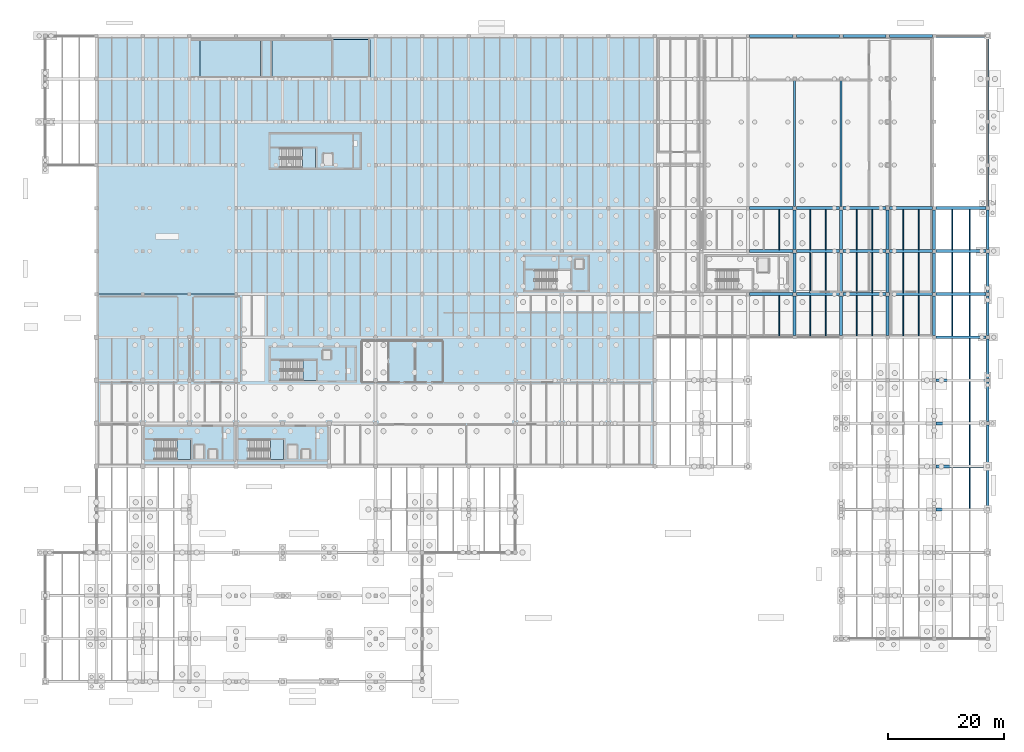
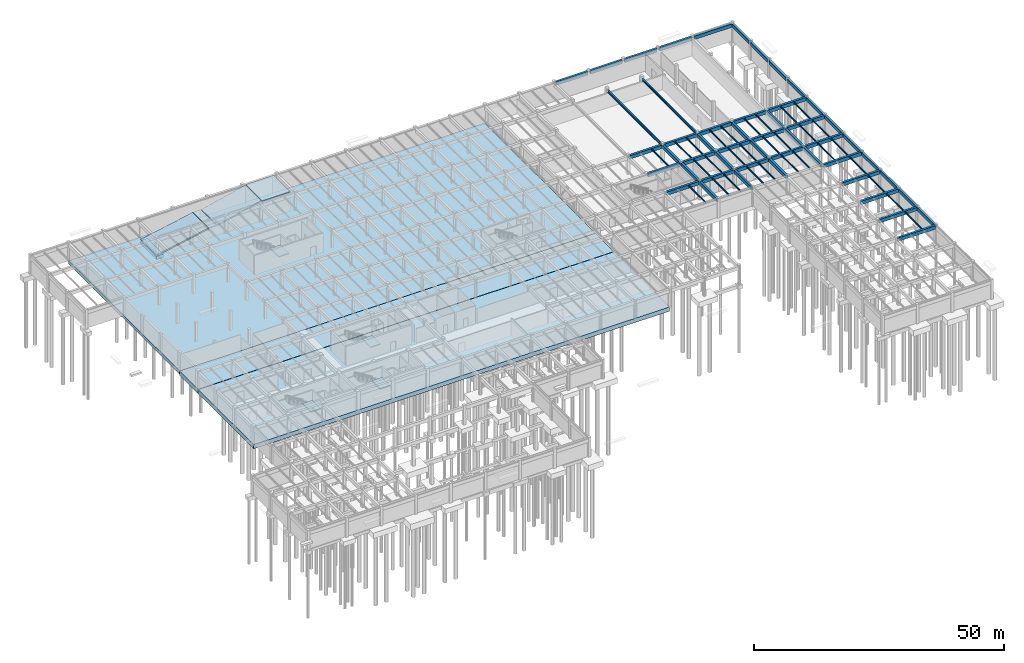
# One storey, part 15 of 40: 80 beams, 12 slabs, 4 elements without a shape of their own.
"""IFC4 building model written with IfcOpenShell, lengths in metres."""

from ifc_helpers import new_model, si_unit, direction, frame, origin, origin_2d, place, context, subcontext, project, spatial, polyline, rectangle, i_section, outline, extrude, material, layer, layer_set, material_profile, profile_set, type_object, element, aggregate, save


model = new_model("IFC4")

# Units and contexts
model_context = context("Model", 3, precision=1e-05, world=origin(), true_north=direction((0.0, 1.0)))
body_context = subcontext(model_context, "Body", "Model", "MODEL_VIEW")
ifc_project = project(units=[si_unit("LENGTHUNIT", "METRE"), si_unit("AREAUNIT", "SQUARE_METRE"), si_unit("VOLUMEUNIT", "CUBIC_METRE"), si_unit("PLANEANGLEUNIT", "RADIAN"), si_unit("MASSUNIT", "GRAM", prefix="KILO")], contexts=[model_context])

# Site, building, storey
site_placement = place(None, origin())
site = spatial("IfcSite", under=ifc_project, at=site_placement, CompositionType="ELEMENT")
building_placement = place(site_placement, origin())
building = spatial("IfcBuilding", under=site, at=building_placement, Name="Valkorina Park Police Headquarters", CompositionType="ELEMENT")
storey_placement = place(building_placement, frame((0.0, 0.0, -4.800048828125)))
storey = spatial("IfcBuildingStorey", under=building, at=storey_placement, Name="B01", CompositionType="ELEMENT", Elevation=-4.800048828125)

# Beams
ifc_material_1 = material(Name="Concrete C40/50", Category="concrete")
ifc_material_profile_1 = material_profile(ifc_material_1, rectangle(XDim=0.5, YDim=0.85009765625, at=origin_2d()), Name="RC BEAM 500x850")
ifc_profile_set_1 = profile_set([ifc_material_profile_1], Name="Concrete C40/50")
beam_type_1 = type_object("IfcBeamType", Name="BM-RC-500x850-EXT", PredefinedType="SPANDREL", material=ifc_profile_set_1)
for number, where, z_axis, x_axis, name in (
    (1, (121.10009765625, 111.0, 3.955078125), (1.0, 0.0, 0.0), (0.0, 1.0, 0.0), "B01 Framing Beam 0206"),
    (2, (129.10009765625, 111.0, 3.955078125), (1.0, 0.0, 0.0), (0.0, 1.0, 0.0), "B01 Framing Beam 0207"),
    (3, (137.10009765625, 111.0, 3.955078125), (1.0, 0.0, 0.0), (0.0, 1.0, 0.0), "B01 Framing Beam 0208"),
    (4, (145.10009765625, 111.0, 3.955078125), (1.0, 0.0, 0.0), (0.0, 1.0, 0.0), "B01 Framing Beam 0209"),
):
    element("IfcBeam", number, at=place(storey_placement, frame(where, z_axis=z_axis, x_axis=x_axis)), inside=storey, type_object=beam_type_1, Name=name, PredefinedType="SPANDREL", context=body_context, shape_type="SweptSolid", body=[
        extrude(rectangle(XDim=0.5, YDim=0.85009765625, at=origin_2d()), origin(), (0.0, 0.0, 1.0), 7.39990234375),
    ])
beam_1_placement = place(storey_placement, frame((153.10009765625, 111.0, 3.955078125), z_axis=(1.0, 0.0, 0.0), x_axis=(0.0, 1.0, 0.0)))
element("IfcBeam", 5, at=beam_1_placement, inside=storey, type_object=beam_type_1, Name="B01 Framing Beam 0210", PredefinedType="SPANDREL", context=body_context, shape_type="SweptSolid", body=[
    extrude(rectangle(XDim=0.5, YDim=0.85009765625, at=origin_2d()), origin(), (0.0, 0.0, 1.0), 8.599853515625),
])
for number, where, z_axis, x_axis, name in (
    (6, (162.0, 29.89990234375, 4.074951171875), (0.0, 1.0, 0.0), (-1.0, 0.0, 0.0), "B01 Framing Beam 0673"),
    (7, (162.0, 37.300048828125, 4.074951171875), (0.0, 1.0, 0.0), (-1.0, 0.0, 0.0), "B01 Framing Beam 0677"),
    (8, (162.0, 44.699951171875, 4.074951171875), (0.0, 1.0, 0.0), (-1.0, 0.0, 0.0), "B01 Framing Beam 0681"),
):
    element("IfcBeam", number, at=place(storey_placement, frame(where, z_axis=z_axis, x_axis=x_axis)), inside=storey, type_object=beam_type_1, Name=name, PredefinedType="SPANDREL", context=body_context, shape_type="SweptSolid", body=[
        extrude(rectangle(XDim=0.5, YDim=0.85009765625, at=origin_2d()), origin(), (0.0, 0.0, 1.0), 6.800048828125),
    ])
beam_2_placement = place(storey_placement, frame((162.0, 52.10009765625, 4.074951171875), z_axis=(0.0, 1.0, 0.0), x_axis=(-1.0, 0.0, 0.0)))
element("IfcBeam", 9, at=beam_2_placement, inside=storey, type_object=beam_type_1, Name="B01 Framing Beam 0685", PredefinedType="SPANDREL", context=body_context, shape_type="SweptSolid", body=[
    extrude(rectangle(XDim=0.5, YDim=0.85009765625, at=origin_2d()), origin(), (0.0, 0.0, 1.0), 6.7998046875),
])
for number, where, z_axis, x_axis, name in (
    (10, (162.0, 59.5, 4.074951171875), (0.0, 1.0, 0.0), (-1.0, 0.0, 0.0), "B01 Framing Beam 0689"),
    (11, (162.0, 66.89990234375, 4.074951171875), (0.0, 1.0, 0.0), (-1.0, 0.0, 0.0), "B01 Framing Beam 0693"),
    (12, (162.0, 74.300048828125, 3.955078125), (0.0, 1.0, 0.0), (-1.0, 0.0, 0.0), "B01 Framing Beam 0697"),
    (13, (162.0, 81.699951171875, 3.955078125), (0.0, 1.0, 0.0), (-1.0, 0.0, 0.0), "B01 Framing Beam 0700"),
):
    element("IfcBeam", number, at=place(storey_placement, frame(where, z_axis=z_axis, x_axis=x_axis)), inside=storey, type_object=beam_type_1, Name=name, PredefinedType="SPANDREL", context=body_context, shape_type="SweptSolid", body=[
        extrude(rectangle(XDim=0.5, YDim=0.85009765625, at=origin_2d()), origin(), (0.0, 0.0, 1.0), 6.800048828125),
    ])
beam_3_placement = place(storey_placement, frame((162.0, 89.10009765625, 3.955078125), z_axis=(0.0, 1.0, 0.0), x_axis=(-1.0, 0.0, 0.0)))
element("IfcBeam", 14, at=beam_3_placement, inside=storey, type_object=beam_type_1, Name="B01 Framing Beam 0701", PredefinedType="SPANDREL", context=body_context, shape_type="SweptSolid", body=[
    extrude(rectangle(XDim=0.5, YDim=0.85009765625, at=origin_2d()), origin(), (0.0, 0.0, 1.0), 6.7998046875),
])
for number, where, z_axis, x_axis, name in (
    (15, (162.0, 96.5, 3.955078125), (0.0, 1.0, 0.0), (-1.0, 0.0, 0.0), "B01 Framing Beam 0702"),
    (16, (162.0, 103.89990234375, 3.955078125), (0.0, 1.0, 0.0), (-1.0, 0.0, 0.0), "B01 Framing Beam 0703"),
):
    element("IfcBeam", number, at=place(storey_placement, frame(where, z_axis=z_axis, x_axis=x_axis)), inside=storey, type_object=beam_type_1, Name=name, PredefinedType="SPANDREL", context=body_context, shape_type="SweptSolid", body=[
        extrude(rectangle(XDim=0.5, YDim=0.85009765625, at=origin_2d()), origin(), (0.0, 0.0, 1.0), 6.800048828125),
    ])
ifc_material_profile_2 = material_profile(ifc_material_1, rectangle(XDim=0.5, YDim=0.85009765625, at=origin_2d()), Name="RC BEAM 500x850")
ifc_profile_set_2 = profile_set([ifc_material_profile_2], Name="Concrete C40/50")
beam_type_2 = type_object("IfcBeamType", Name="BM-RC-500x850-INT", PredefinedType="BEAM", material=ifc_profile_set_2)
for number, where, z_axis, x_axis, name in (
    (17, (153.10009765625, 29.60009765625, 4.074951171875), (1.0, 0.0, 0.0), (0.0, 1.0, 0.0), "B01 Framing Beam 0041"),
    (18, (153.10009765625, 37.0, 4.074951171875), (1.0, 0.0, 0.0), (0.0, 1.0, 0.0), "B01 Framing Beam 0058"),
    (19, (153.10009765625, 44.39990234375, 4.074951171875), (1.0, 0.0, 0.0), (0.0, 1.0, 0.0), "B01 Framing Beam 0072"),
    (20, (153.10009765625, 51.800048828125, 4.074951171875), (1.0, 0.0, 0.0), (0.0, 1.0, 0.0), "B01 Framing Beam 0083"),
    (21, (153.10009765625, 59.199951171875, 4.074951171875), (1.0, 0.0, 0.0), (0.0, 1.0, 0.0), "B01 Framing Beam 0102"),
):
    element("IfcBeam", number, at=place(storey_placement, frame(where, z_axis=z_axis, x_axis=x_axis)), inside=storey, type_object=beam_type_2, Name=name, PredefinedType="BEAM", context=body_context, shape_type="SweptSolid", body=[
        extrude(rectangle(XDim=0.5, YDim=0.85009765625, at=origin_2d()), origin(), (0.0, 0.0, 1.0), 8.599853515625),
    ])
for number, where, z_axis, x_axis, name in (
    (22, (121.10009765625, 66.60009765625, 4.074951171875), (1.0, 0.0, 0.0), (0.0, 1.0, 0.0), "B01 Framing Beam 0114"),
    (23, (129.10009765625, 66.60009765625, 4.074951171875), (1.0, 0.0, 0.0), (0.0, 1.0, 0.0), "B01 Framing Beam 0115"),
    (24, (137.10009765625, 66.60009765625, 4.074951171875), (1.0, 0.0, 0.0), (0.0, 1.0, 0.0), "B01 Framing Beam 0116"),
    (25, (145.10009765625, 66.60009765625, 4.074951171875), (1.0, 0.0, 0.0), (0.0, 1.0, 0.0), "B01 Framing Beam 0117"),
):
    element("IfcBeam", number, at=place(storey_placement, frame(where, z_axis=z_axis, x_axis=x_axis)), inside=storey, type_object=beam_type_2, Name=name, PredefinedType="BEAM", context=body_context, shape_type="SweptSolid", body=[
        extrude(rectangle(XDim=0.5, YDim=0.85009765625, at=origin_2d()), origin(), (0.0, 0.0, 1.0), 7.39990234375),
    ])
beam_4_placement = place(storey_placement, frame((153.10009765625, 66.60009765625, 4.074951171875), z_axis=(1.0, 0.0, 0.0), x_axis=(0.0, 1.0, 0.0)))
element("IfcBeam", 26, at=beam_4_placement, inside=storey, type_object=beam_type_2, Name="B01 Framing Beam 0118", PredefinedType="BEAM", context=body_context, shape_type="SweptSolid", body=[
    extrude(rectangle(XDim=0.5, YDim=0.85009765625, at=origin_2d()), origin(), (0.0, 0.0, 1.0), 8.599853515625),
])
for number, where, z_axis, x_axis, name in (
    (27, (121.10009765625, 74.0, 4.074951171875), (1.0, 0.0, 0.0), (0.0, 1.0, 0.0), "B01 Framing Beam 0130"),
    (28, (129.10009765625, 74.0, 4.074951171875), (1.0, 0.0, 0.0), (0.0, 1.0, 0.0), "B01 Framing Beam 0131"),
    (29, (137.10009765625, 74.0, 4.074951171875), (1.0, 0.0, 0.0), (0.0, 1.0, 0.0), "B01 Framing Beam 0132"),
    (30, (145.10009765625, 74.0, 4.074951171875), (1.0, 0.0, 0.0), (0.0, 1.0, 0.0), "B01 Framing Beam 0133"),
):
    element("IfcBeam", number, at=place(storey_placement, frame(where, z_axis=z_axis, x_axis=x_axis)), inside=storey, type_object=beam_type_2, Name=name, PredefinedType="BEAM", context=body_context, shape_type="SweptSolid", body=[
        extrude(rectangle(XDim=0.5, YDim=0.85009765625, at=origin_2d()), origin(), (0.0, 0.0, 1.0), 7.39990234375),
    ])
beam_5_placement = place(storey_placement, frame((153.10009765625, 74.0, 4.074951171875), z_axis=(1.0, 0.0, 0.0), x_axis=(0.0, 1.0, 0.0)))
element("IfcBeam", 31, at=beam_5_placement, inside=storey, type_object=beam_type_2, Name="B01 Framing Beam 0134", PredefinedType="BEAM", context=body_context, shape_type="SweptSolid", body=[
    extrude(rectangle(XDim=0.5, YDim=0.85009765625, at=origin_2d()), origin(), (0.0, 0.0, 1.0), 8.599853515625),
])
for number, where, z_axis, x_axis, name in (
    (32, (121.10009765625, 81.39990234375, 3.955078125), (1.0, 0.0, 0.0), (0.0, 1.0, 0.0), "B01 Framing Beam 0146"),
    (33, (129.10009765625, 81.39990234375, 3.955078125), (1.0, 0.0, 0.0), (0.0, 1.0, 0.0), "B01 Framing Beam 0147"),
    (34, (137.10009765625, 81.39990234375, 3.955078125), (1.0, 0.0, 0.0), (0.0, 1.0, 0.0), "B01 Framing Beam 0148"),
    (35, (145.10009765625, 81.39990234375, 3.955078125), (1.0, 0.0, 0.0), (0.0, 1.0, 0.0), "B01 Framing Beam 0149"),
):
    element("IfcBeam", number, at=place(storey_placement, frame(where, z_axis=z_axis, x_axis=x_axis)), inside=storey, type_object=beam_type_2, Name=name, PredefinedType="BEAM", context=body_context, shape_type="SweptSolid", body=[
        extrude(rectangle(XDim=0.5, YDim=0.85009765625, at=origin_2d()), origin(), (0.0, 0.0, 1.0), 7.39990234375),
    ])
beam_6_placement = place(storey_placement, frame((153.10009765625, 81.39990234375, 3.955078125), z_axis=(1.0, 0.0, 0.0), x_axis=(0.0, 1.0, 0.0)))
element("IfcBeam", 36, at=beam_6_placement, inside=storey, type_object=beam_type_2, Name="B01 Framing Beam 0150", PredefinedType="BEAM", context=body_context, shape_type="SweptSolid", body=[
    extrude(rectangle(XDim=0.5, YDim=0.85009765625, at=origin_2d()), origin(), (0.0, 0.0, 1.0), 8.599853515625),
])
for number, where, z_axis, x_axis, name in (
    (37, (128.800048828125, 59.5, 4.074951171875), (0.0, 1.0, 0.0), (-1.0, 0.0, 0.0), "B01 Framing Beam 0591"),
    (38, (128.800048828125, 66.89990234375, 4.074951171875), (0.0, 1.0, 0.0), (-1.0, 0.0, 0.0), "B01 Framing Beam 0594"),
    (39, (128.800048828125, 74.300048828125, 3.955078125), (0.0, 1.0, 0.0), (-1.0, 0.0, 0.0), "B01 Framing Beam 0597"),
    (40, (136.800048828125, 59.5, 4.074951171875), (0.0, 1.0, 0.0), (-1.0, 0.0, 0.0), "B01 Framing Beam 0621"),
    (41, (136.800048828125, 66.89990234375, 4.074951171875), (0.0, 1.0, 0.0), (-1.0, 0.0, 0.0), "B01 Framing Beam 0624"),
    (42, (136.800048828125, 74.300048828125, 3.955078125), (0.0, 1.0, 0.0), (-1.0, 0.0, 0.0), "B01 Framing Beam 0627"),
    (43, (144.800048828125, 59.5, 4.074951171875), (0.0, 1.0, 0.0), (-1.0, 0.0, 0.0), "B01 Framing Beam 0651"),
    (44, (144.800048828125, 66.89990234375, 4.074951171875), (0.0, 1.0, 0.0), (-1.0, 0.0, 0.0), "B01 Framing Beam 0654"),
    (45, (144.800048828125, 74.300048828125, 3.955078125), (0.0, 1.0, 0.0), (-1.0, 0.0, 0.0), "B01 Framing Beam 0657"),
    (46, (152.800048828125, 59.5, 4.074951171875), (0.0, 1.0, 0.0), (-1.0, 0.0, 0.0), "B01 Framing Beam 0688"),
    (47, (152.800048828125, 66.89990234375, 4.074951171875), (0.0, 1.0, 0.0), (-1.0, 0.0, 0.0), "B01 Framing Beam 0692"),
    (48, (152.800048828125, 74.300048828125, 3.955078125), (0.0, 1.0, 0.0), (-1.0, 0.0, 0.0), "B01 Framing Beam 0696"),
):
    element("IfcBeam", number, at=place(storey_placement, frame(where, z_axis=z_axis, x_axis=x_axis)), inside=storey, type_object=beam_type_2, Name=name, PredefinedType="BEAM", context=body_context, shape_type="SweptSolid", body=[
        extrude(rectangle(XDim=0.5, YDim=0.85009765625, at=origin_2d()), origin(), (0.0, 0.0, 1.0), 6.800048828125),
    ])
ifc_material_2 = material(Name="Steel S355", Category="steel")
ifc_material_profile_3 = material_profile(ifc_material_2, i_section(OverallWidth=0.300048828125, OverallDepth=0.639892578125, WebThickness=0.013427734375, FlangeThickness=0.02587890625, FilletRadius=0.027099609375, at=origin_2d()), Name="HEA 650")
ifc_profile_set_3 = profile_set([ifc_material_profile_3], Name="Steel S355")
beam_type_3 = type_object("IfcBeamType", Name="BM-S355-HEA650-BM", PredefinedType="BEAM", material=ifc_profile_set_3)
beam_7_placement = place(storey_placement, frame((128.800048828125, 81.699951171875, 4.06005859375), z_axis=(0.0, 1.0, 0.0), x_axis=(-1.0, 0.0, 0.0)))
element("IfcBeam", 49, at=beam_7_placement, inside=storey, type_object=beam_type_3, Name="B01 Firing Range Clear-Span Girder 2859", PredefinedType="BEAM", context=body_context, shape_type="SweptSolid", body=[
    extrude(i_section(OverallWidth=0.300048828125, OverallDepth=0.639892578125, WebThickness=0.013427734375, FlangeThickness=0.02587890625, FilletRadius=0.027099609375, at=origin_2d()), origin(), (0.0, 0.0, 1.0), 21.60009765625),
])
ifc_material_profile_4 = material_profile(ifc_material_2, i_section(OverallWidth=0.300048828125, OverallDepth=0.60009765625, WebThickness=0.015380859375, FlangeThickness=0.030029296875, FilletRadius=0.027099609375, at=origin_2d()), Name="HEB 600")
ifc_profile_set_4 = profile_set([ifc_material_profile_4], Name="Steel S355")
beam_type_4 = type_object("IfcBeamType", Name="BM-S355-HEB600-CANT", PredefinedType="BEAM", material=ifc_profile_set_4)
beam_8_placement = place(storey_placement, frame((136.800048828125, 81.699951171875, 4.080078125), z_axis=(0.0, 1.0, 0.0), x_axis=(-1.0, 0.0, 0.0)))
element("IfcBeam", 50, at=beam_8_placement, inside=storey, type_object=beam_type_4, Name="B01 Firing Range Clear-Span Girder 2860", PredefinedType="BEAM", context=body_context, shape_type="SweptSolid", body=[
    extrude(i_section(OverallWidth=0.300048828125, OverallDepth=0.60009765625, WebThickness=0.015380859375, FlangeThickness=0.030029296875, FilletRadius=0.027099609375, at=origin_2d()), origin(), (0.0, 0.0, 1.0), 21.60009765625),
])
ifc_material_profile_5 = material_profile(ifc_material_2, i_section(OverallWidth=0.169921875, OverallDepth=0.360107421875, WebThickness=0.008056640625, FlangeThickness=0.0126953125, FilletRadius=0.01806640625, at=origin_2d()), Name="IPE 360")
ifc_profile_set_5 = profile_set([ifc_material_profile_5], Name="Steel S355")
beam_type_5 = type_object("IfcBeamType", Name="BM-S355-IPE360-JST", PredefinedType="JOIST", material=ifc_profile_set_5)
beam_9_placement = place(storey_placement, frame((126.13330078125, 59.449951171875, 4.320068359375), z_axis=(0.0, 1.0, 0.0), x_axis=(-1.0, 0.0, 0.0)))
element("IfcBeam", 51, at=beam_9_placement, inside=storey, type_object=beam_type_5, Name="B01 Framing Beam 0586", PredefinedType="JOIST", context=body_context, shape_type="SweptSolid", body=[
    extrude(i_section(OverallWidth=0.169921875, OverallDepth=0.360107421875, WebThickness=0.008056640625, FlangeThickness=0.0126953125, FilletRadius=0.01806640625, at=origin_2d()), origin(), (0.0, 0.0, 1.0), 6.900146484375),
])
beam_10_placement = place(storey_placement, frame((126.13330078125, 74.25, 4.199951171875), z_axis=(0.0, 1.0, 0.0), x_axis=(-1.0, 0.0, 0.0)))
element("IfcBeam", 52, at=beam_10_placement, inside=storey, type_object=beam_type_5, Name="B01 Framing Beam 0589", PredefinedType="JOIST", context=body_context, shape_type="SweptSolid", body=[
    extrude(i_section(OverallWidth=0.169921875, OverallDepth=0.360107421875, WebThickness=0.008056640625, FlangeThickness=0.0126953125, FilletRadius=0.01806640625, at=origin_2d()), origin(), (0.0, 0.0, 1.0), 6.89990234375),
])
for number, where, z_axis, x_axis, name in (
    (53, (131.466796875, 59.449951171875, 4.320068359375), (0.0, 1.0, 0.0), (-1.0, 0.0, 0.0), "B01 Framing Beam 0592"),
    (54, (134.13330078125, 59.449951171875, 4.320068359375), (0.0, 1.0, 0.0), (-1.0, 0.0, 0.0), "B01 Framing Beam 0593"),
):
    element("IfcBeam", number, at=place(storey_placement, frame(where, z_axis=z_axis, x_axis=x_axis)), inside=storey, type_object=beam_type_5, Name=name, PredefinedType="JOIST", context=body_context, shape_type="SweptSolid", body=[
        extrude(i_section(OverallWidth=0.169921875, OverallDepth=0.360107421875, WebThickness=0.008056640625, FlangeThickness=0.0126953125, FilletRadius=0.01806640625, at=origin_2d()), origin(), (0.0, 0.0, 1.0), 6.900146484375),
    ])
for number, where, z_axis, x_axis, name in (
    (55, (131.466796875, 66.85009765625, 4.320068359375), (0.0, 1.0, 0.0), (-1.0, 0.0, 0.0), "B01 Framing Beam 0595"),
    (56, (134.13330078125, 66.85009765625, 4.320068359375), (0.0, 1.0, 0.0), (-1.0, 0.0, 0.0), "B01 Framing Beam 0596"),
    (57, (131.466796875, 74.25, 4.199951171875), (0.0, 1.0, 0.0), (-1.0, 0.0, 0.0), "B01 Framing Beam 0598"),
    (58, (134.13330078125, 74.25, 4.199951171875), (0.0, 1.0, 0.0), (-1.0, 0.0, 0.0), "B01 Framing Beam 0599"),
):
    element("IfcBeam", number, at=place(storey_placement, frame(where, z_axis=z_axis, x_axis=x_axis)), inside=storey, type_object=beam_type_5, Name=name, PredefinedType="JOIST", context=body_context, shape_type="SweptSolid", body=[
        extrude(i_section(OverallWidth=0.169921875, OverallDepth=0.360107421875, WebThickness=0.008056640625, FlangeThickness=0.0126953125, FilletRadius=0.01806640625, at=origin_2d()), origin(), (0.0, 0.0, 1.0), 6.89990234375),
    ])
for number, where, z_axis, x_axis, name in (
    (59, (139.466796875, 59.449951171875, 4.320068359375), (0.0, 1.0, 0.0), (-1.0, 0.0, 0.0), "B01 Framing Beam 0622"),
    (60, (142.13330078125, 59.449951171875, 4.320068359375), (0.0, 1.0, 0.0), (-1.0, 0.0, 0.0), "B01 Framing Beam 0623"),
):
    element("IfcBeam", number, at=place(storey_placement, frame(where, z_axis=z_axis, x_axis=x_axis)), inside=storey, type_object=beam_type_5, Name=name, PredefinedType="JOIST", context=body_context, shape_type="SweptSolid", body=[
        extrude(i_section(OverallWidth=0.169921875, OverallDepth=0.360107421875, WebThickness=0.008056640625, FlangeThickness=0.0126953125, FilletRadius=0.01806640625, at=origin_2d()), origin(), (0.0, 0.0, 1.0), 6.900146484375),
    ])
for number, where, z_axis, x_axis, name in (
    (61, (139.466796875, 66.85009765625, 4.320068359375), (0.0, 1.0, 0.0), (-1.0, 0.0, 0.0), "B01 Framing Beam 0625"),
    (62, (142.13330078125, 66.85009765625, 4.320068359375), (0.0, 1.0, 0.0), (-1.0, 0.0, 0.0), "B01 Framing Beam 0626"),
    (63, (139.466796875, 74.25, 4.199951171875), (0.0, 1.0, 0.0), (-1.0, 0.0, 0.0), "B01 Framing Beam 0628"),
    (64, (142.13330078125, 74.25, 4.199951171875), (0.0, 1.0, 0.0), (-1.0, 0.0, 0.0), "B01 Framing Beam 0629"),
):
    element("IfcBeam", number, at=place(storey_placement, frame(where, z_axis=z_axis, x_axis=x_axis)), inside=storey, type_object=beam_type_5, Name=name, PredefinedType="JOIST", context=body_context, shape_type="SweptSolid", body=[
        extrude(i_section(OverallWidth=0.169921875, OverallDepth=0.360107421875, WebThickness=0.008056640625, FlangeThickness=0.0126953125, FilletRadius=0.01806640625, at=origin_2d()), origin(), (0.0, 0.0, 1.0), 6.89990234375),
    ])
for number, where, z_axis, x_axis, name in (
    (65, (147.466796875, 59.449951171875, 4.320068359375), (0.0, 1.0, 0.0), (-1.0, 0.0, 0.0), "B01 Framing Beam 0652"),
    (66, (150.13330078125, 59.449951171875, 4.320068359375), (0.0, 1.0, 0.0), (-1.0, 0.0, 0.0), "B01 Framing Beam 0653"),
):
    element("IfcBeam", number, at=place(storey_placement, frame(where, z_axis=z_axis, x_axis=x_axis)), inside=storey, type_object=beam_type_5, Name=name, PredefinedType="JOIST", context=body_context, shape_type="SweptSolid", body=[
        extrude(i_section(OverallWidth=0.169921875, OverallDepth=0.360107421875, WebThickness=0.008056640625, FlangeThickness=0.0126953125, FilletRadius=0.01806640625, at=origin_2d()), origin(), (0.0, 0.0, 1.0), 6.900146484375),
    ])
for number, where, z_axis, x_axis, name in (
    (67, (147.466796875, 66.85009765625, 4.320068359375), (0.0, 1.0, 0.0), (-1.0, 0.0, 0.0), "B01 Framing Beam 0655"),
    (68, (150.13330078125, 66.85009765625, 4.320068359375), (0.0, 1.0, 0.0), (-1.0, 0.0, 0.0), "B01 Framing Beam 0656"),
    (69, (147.466796875, 74.25, 4.199951171875), (0.0, 1.0, 0.0), (-1.0, 0.0, 0.0), "B01 Framing Beam 0658"),
    (70, (150.13330078125, 74.25, 4.199951171875), (0.0, 1.0, 0.0), (-1.0, 0.0, 0.0), "B01 Framing Beam 0659"),
    (71, (158.933349609375, 29.85009765625, 4.320068359375), (0.0, 1.0, 0.0), (-1.0, 0.0, 0.0), "B01 Framing Beam 0675"),
    (72, (158.933349609375, 37.25, 4.320068359375), (0.0, 1.0, 0.0), (-1.0, 0.0, 0.0), "B01 Framing Beam 0679"),
):
    element("IfcBeam", number, at=place(storey_placement, frame(where, z_axis=z_axis, x_axis=x_axis)), inside=storey, type_object=beam_type_5, Name=name, PredefinedType="JOIST", context=body_context, shape_type="SweptSolid", body=[
        extrude(i_section(OverallWidth=0.169921875, OverallDepth=0.360107421875, WebThickness=0.008056640625, FlangeThickness=0.0126953125, FilletRadius=0.01806640625, at=origin_2d()), origin(), (0.0, 0.0, 1.0), 6.89990234375),
    ])
beam_11_placement = place(storey_placement, frame((158.933349609375, 44.64990234375, 4.320068359375), z_axis=(0.0, 1.0, 0.0), x_axis=(-1.0, 0.0, 0.0)))
element("IfcBeam", 73, at=beam_11_placement, inside=storey, type_object=beam_type_5, Name="B01 Framing Beam 0683", PredefinedType="JOIST", context=body_context, shape_type="SweptSolid", body=[
    extrude(i_section(OverallWidth=0.169921875, OverallDepth=0.360107421875, WebThickness=0.008056640625, FlangeThickness=0.0126953125, FilletRadius=0.01806640625, at=origin_2d()), origin(), (0.0, 0.0, 1.0), 6.900146484375),
])
beam_12_placement = place(storey_placement, frame((158.933349609375, 52.050048828125, 4.320068359375), z_axis=(0.0, 1.0, 0.0), x_axis=(-1.0, 0.0, 0.0)))
element("IfcBeam", 74, at=beam_12_placement, inside=storey, type_object=beam_type_5, Name="B01 Framing Beam 0687", PredefinedType="JOIST", context=body_context, shape_type="SweptSolid", body=[
    extrude(i_section(OverallWidth=0.169921875, OverallDepth=0.360107421875, WebThickness=0.008056640625, FlangeThickness=0.0126953125, FilletRadius=0.01806640625, at=origin_2d()), origin(), (0.0, 0.0, 1.0), 6.89990234375),
])
for number, where, z_axis, x_axis, name in (
    (75, (155.86669921875, 59.449951171875, 4.320068359375), (0.0, 1.0, 0.0), (-1.0, 0.0, 0.0), "B01 Framing Beam 0690"),
    (76, (158.933349609375, 59.449951171875, 4.320068359375), (0.0, 1.0, 0.0), (-1.0, 0.0, 0.0), "B01 Framing Beam 0691"),
):
    element("IfcBeam", number, at=place(storey_placement, frame(where, z_axis=z_axis, x_axis=x_axis)), inside=storey, type_object=beam_type_5, Name=name, PredefinedType="JOIST", context=body_context, shape_type="SweptSolid", body=[
        extrude(i_section(OverallWidth=0.169921875, OverallDepth=0.360107421875, WebThickness=0.008056640625, FlangeThickness=0.0126953125, FilletRadius=0.01806640625, at=origin_2d()), origin(), (0.0, 0.0, 1.0), 6.900146484375),
    ])
for number, where, z_axis, x_axis, name in (
    (77, (155.86669921875, 66.85009765625, 4.320068359375), (0.0, 1.0, 0.0), (-1.0, 0.0, 0.0), "B01 Framing Beam 0694"),
    (78, (158.933349609375, 66.85009765625, 4.320068359375), (0.0, 1.0, 0.0), (-1.0, 0.0, 0.0), "B01 Framing Beam 0695"),
    (79, (155.86669921875, 74.25, 4.199951171875), (0.0, 1.0, 0.0), (-1.0, 0.0, 0.0), "B01 Framing Beam 0698"),
    (80, (158.933349609375, 74.25, 4.199951171875), (0.0, 1.0, 0.0), (-1.0, 0.0, 0.0), "B01 Framing Beam 0699"),
):
    element("IfcBeam", number, at=place(storey_placement, frame(where, z_axis=z_axis, x_axis=x_axis)), inside=storey, type_object=beam_type_5, Name=name, PredefinedType="JOIST", context=body_context, shape_type="SweptSolid", body=[
        extrude(i_section(OverallWidth=0.169921875, OverallDepth=0.360107421875, WebThickness=0.008056640625, FlangeThickness=0.0126953125, FilletRadius=0.01806640625, at=origin_2d()), origin(), (0.0, 0.0, 1.0), 6.89990234375),
    ])

# Slabs
ifc_material_3 = material(Name="Concrete C35/45", Category="concrete")
ifc_layer_1 = layer(ifc_material_3, 0.22998046875)
ifc_layer_set_1 = layer_set([ifc_layer_1], Name="Concrete C35/45")
slab_type_1 = type_object("IfcSlabType", Name="SL-LANDING-230", PredefinedType="LANDING", material=ifc_layer_set_1)
slab_1_placement = place(storey_placement, frame((0.0, 0.0, 2.170166015625)))
element("IfcSlab", 81, at=slab_1_placement, inside=storey, type_object=slab_type_1, Name="Car park vehicle ramp intermediate landing slab", PredefinedType="LANDING", context=body_context, shape_type="SweptSolid", body=[
    extrude(outline(polyline([(38.8798828125, 103.93994140625), (38.8798828125, 110.260009765625), (37.0400390625, 110.260009765625), (37.0400390625, 103.93994140625), (38.8798828125, 103.93994140625)])), origin(), (0.0, 0.0, 1.0), 0.22998046875),
])
slab_2_placement = place(storey_placement, frame((0.0, 0.0, 4.570068359375)))
element("IfcSlab", 82, at=slab_2_placement, inside=storey, type_object=slab_type_1, Name="Car park vehicle ramp top arrival landing slab", PredefinedType="LANDING", context=body_context, shape_type="SweptSolid", body=[
    extrude(outline(polyline([(55.800048828125, 103.800048828125), (55.800048828125, 110.39990234375), (49.27001953125, 110.39990234375), (49.27001953125, 103.800048828125), (55.800048828125, 103.800048828125)])), origin(), (0.0, 0.0, 1.0), 0.22998046875),
])

# Stair, slab
stair_type = type_object("IfcStairType", Name="ST-DOGLEG-160-48", PredefinedType="HALF_TURN_STAIR", material=ifc_material_3)
stair_1_placement = place(storey_placement, origin())
stair_1 = element("IfcStair", 83, at=stair_1_placement, inside=storey, type_object=stair_type, Name="B01 Core C1 Protected Stair (ST-01)", PredefinedType="HALF_TURN_STAIR")
slab_3_placement = place(storey_placement, frame((0.0, 0.0, 2.170166015625)))
slab_3 = element("IfcSlab", 84, at=slab_3_placement, type_object=slab_type_1, Name="ST-01 landing 1", PredefinedType="LANDING", context=body_context, shape_type="SweptSolid", body=[
    extrude(outline(polyline([(22.699951171875, 38.199951171875), (25.0, 38.199951171875), (25.0, 41.60009765625), (22.699951171875, 41.60009765625), (22.699951171875, 38.199951171875)])), origin(), (0.0, 0.0, 1.0), 0.22998046875),
])
aggregate(stair_1, [slab_3])

stair_2_placement = place(storey_placement, origin())
stair_2 = element("IfcStair", 85, at=stair_2_placement, inside=storey, type_object=stair_type, Name="B01 Core C2 Protected Stair (ST-01)", PredefinedType="HALF_TURN_STAIR")
slab_4_placement = place(storey_placement, frame((0.0, 0.0, 2.170166015625)))
slab_4 = element("IfcSlab", 86, at=slab_4_placement, type_object=slab_type_1, Name="ST-01 landing 1", PredefinedType="LANDING", context=body_context, shape_type="SweptSolid", body=[
    extrude(outline(polyline([(38.699951171875, 38.199951171875), (41.0, 38.199951171875), (41.0, 41.60009765625), (38.699951171875, 41.60009765625), (38.699951171875, 38.199951171875)])), origin(), (0.0, 0.0, 1.0), 0.22998046875),
])
aggregate(stair_2, [slab_4])

stair_3_placement = place(storey_placement, origin())
stair_3 = element("IfcStair", 87, at=stair_3_placement, inside=storey, type_object=stair_type, Name="B01 Core C3 Protected Stair (ST-01)", PredefinedType="HALF_TURN_STAIR")
slab_5_placement = place(storey_placement, frame((0.0, 0.0, 2.170166015625)))
slab_5 = element("IfcSlab", 88, at=slab_5_placement, type_object=slab_type_1, Name="ST-01 landing 1", PredefinedType="LANDING", context=body_context, shape_type="SweptSolid", body=[
    extrude(outline(polyline([(44.300048828125, 51.800048828125), (46.60009765625, 51.800048828125), (46.60009765625, 55.199951171875), (44.300048828125, 55.199951171875), (44.300048828125, 51.800048828125)])), origin(), (0.0, 0.0, 1.0), 0.22998046875),
])
aggregate(stair_3, [slab_5])

stair_4_placement = place(storey_placement, origin())
stair_4 = element("IfcStair", 89, at=stair_4_placement, inside=storey, type_object=stair_type, Name="B01 Core C4 Protected Stair (ST-01)", PredefinedType="HALF_TURN_STAIR")
slab_6_placement = place(storey_placement, frame((0.0, 0.0, 2.170166015625)))
slab_6 = element("IfcSlab", 90, at=slab_6_placement, type_object=slab_type_1, Name="ST-01 landing 1", PredefinedType="LANDING", context=body_context, shape_type="SweptSolid", body=[
    extrude(outline(polyline([(44.199951171875, 88.300048828125), (46.5, 88.300048828125), (46.5, 91.699951171875), (44.199951171875, 91.699951171875), (44.199951171875, 88.300048828125)])), origin(), (0.0, 0.0, 1.0), 0.22998046875),
])
aggregate(stair_4, [slab_6])

# Slabs
ifc_layer_2 = layer(ifc_material_3, 1.050048828125)
ifc_layer_set_2 = layer_set([ifc_layer_2], Name="Concrete C35/45")
slab_type_2 = type_object("IfcSlabType", Name="SL-RAFT-1050", PredefinedType="BASESLAB", material=ifc_layer_set_2)
slab_7_placement = place(storey_placement, frame((0.0, 0.0, -1.050048828125)))
element("IfcSlab", 91, at=slab_7_placement, inside=storey, type_object=slab_type_2, Name="B01 Basement Raft Slab 3", PredefinedType="BASESLAB", context=body_context, shape_type="SweptSolid", body=[
    extrude(outline(polyline([(104.800048828125, 59.19189453125), (8.800048828125, 59.19189453125), (8.800048828125, 37.0), (104.800048828125, 37.0), (104.800048828125, 59.19189453125)])), origin(), (0.0, 0.0, 1.0), 1.050048828125),
])
slab_8_placement = place(storey_placement, frame((0.0, 0.0, -1.050048828125)))
element("IfcSlab", 92, at=slab_8_placement, inside=storey, type_object=slab_type_2, Name="B01 Basement Raft Slab 4", PredefinedType="BASESLAB", context=body_context, shape_type="SweptSolid", body=[
    extrude(outline(polyline([(8.800048828125, 59.241943359375), (104.800048828125, 59.241943359375), (104.800048828125, 66.60009765625), (8.800048828125, 66.60009765625), (8.800048828125, 59.241943359375)])), origin(), (0.0, 0.0, 1.0), 1.050048828125),
])
ifc_layer_3 = layer(ifc_material_3, 0.800048828125)
ifc_layer_set_3 = layer_set([ifc_layer_3], Name="Concrete C35/45")
slab_type_3 = type_object("IfcSlabType", Name="SL-RAFT-800", PredefinedType="BASESLAB", material=ifc_layer_set_3)
slab_9_placement = place(storey_placement, frame((0.0, 0.0, -0.800048828125)))
element("IfcSlab", 93, at=slab_9_placement, inside=storey, type_object=slab_type_3, Name="B01 Basement Raft Slab 1", PredefinedType="BASESLAB", context=body_context, shape_type="SweptSolid", body=[
    extrude(outline(polyline([(104.800048828125, 66.60009765625), (104.800048828125, 111.0), (8.800048828125, 111.0), (8.800048828125, 66.60009765625), (104.800048828125, 66.60009765625)]), holes=[polyline([(26.6201171875, 103.89990234375), (24.9599609375, 103.89990234375), (24.9599609375, 110.300048828125), (26.6201171875, 110.300048828125), (26.6201171875, 103.89990234375)])]), origin(), (0.0, 0.0, 1.0), 0.800048828125),
])
ifc_layer_4 = layer(ifc_material_3, 0.800048828125)
ifc_layer_set_4 = layer_set([ifc_layer_4], Name="Concrete C35/45")
slab_type_4 = type_object("IfcSlabType", Name="SL-RAFT-PKT-800", PredefinedType="BASESLAB", material=ifc_layer_set_4)
slab_10_placement = place(storey_placement, frame((0.0, 0.0, -1.119873046875)))
element("IfcSlab", 94, at=slab_10_placement, inside=storey, type_object=slab_type_4, Name="B01 Vehicle Ramp Toe Recessed Raft Slab", PredefinedType="BASESLAB", context=body_context, shape_type="SweptSolid", body=[
    extrude(outline(polyline([(26.6201171875, 103.89990234375), (26.6201171875, 110.300048828125), (24.9599609375, 110.300048828125), (24.9599609375, 103.89990234375), (26.6201171875, 103.89990234375)])), origin(), (0.0, 0.0, 1.0), 0.7998046875),
])
ifc_layer_5 = layer(ifc_material_3, 0.300048828125)
ifc_layer_set_5 = layer_set([ifc_layer_5], Name="Concrete C35/45")
slab_type_5 = type_object("IfcSlabType", Name="SL-RAMP-VEH-300", PredefinedType="FLOOR", material=ifc_layer_set_5)
slab_11_placement = place(storey_placement, frame((25.0, 103.93994140625, 0.0), z_axis=(-0.196127644693, 0.0, 0.98057837371), x_axis=(0.98057837371, 0.0, 0.196127644693)))
element("IfcSlab", 95, at=slab_11_placement, inside=storey, type_object=slab_type_5, Name="Car park vehicle ramp lower structural slab RMP-01", PredefinedType="FLOOR", context=body_context, shape_type="SweptSolid", body=[
    extrude(outline(polyline([(0.0, 0.0), (12.237675561415154, 0.0), (12.237675561415154, 6.320068359375), (0.0, 6.320068359375), (0.0, 0.0)])), origin(), (0.0, 0.0, -1.0), 0.300048828125),
])
slab_12_placement = place(storey_placement, frame((39.0, 103.93994140625, 2.400146484375), z_axis=(-0.229031541841, 0.0, 0.973419001685), x_axis=(0.973419001685, 0.0, 0.229031541841)))
element("IfcSlab", 96, at=slab_12_placement, inside=storey, type_object=slab_type_5, Name="Car park vehicle ramp upper structural slab RMP-01", PredefinedType="FLOOR", context=body_context, shape_type="SweptSolid", body=[
    extrude(outline(polyline([(0.0, 0.0), (10.478479621021883, 0.0), (10.478479621021883, 6.320068359375), (0.0, 6.320068359375), (0.0, 0.0)])), origin(), (0.0, 0.0, -1.0), 0.300048828125),
])

save(model, "model.ifc")
